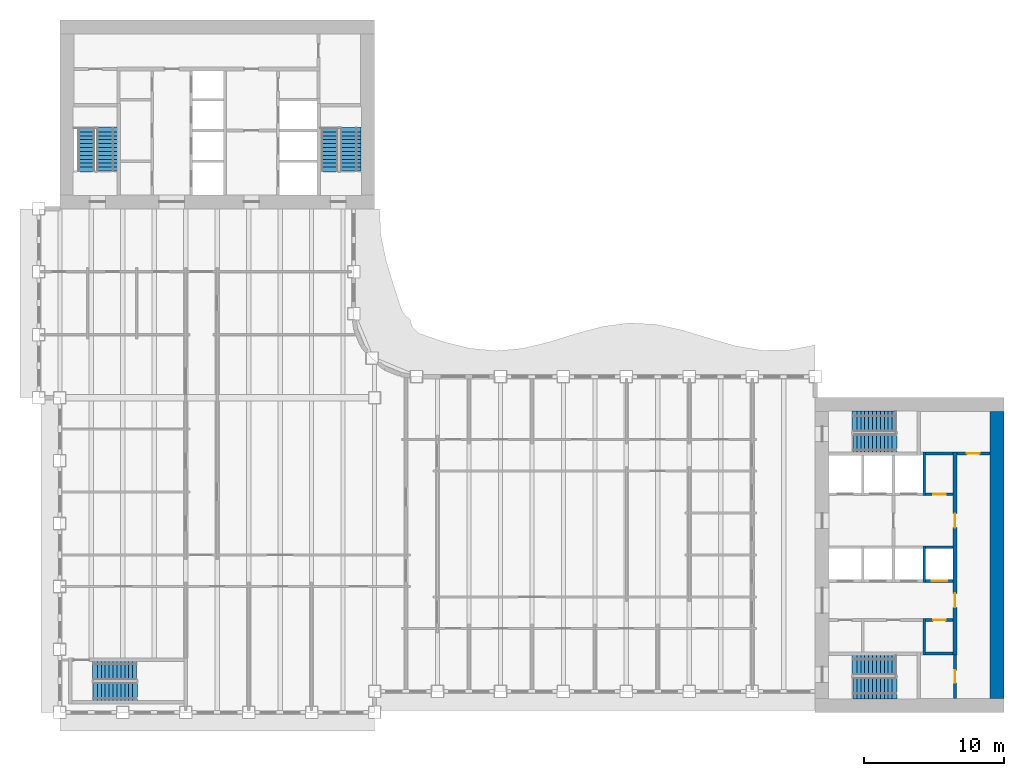
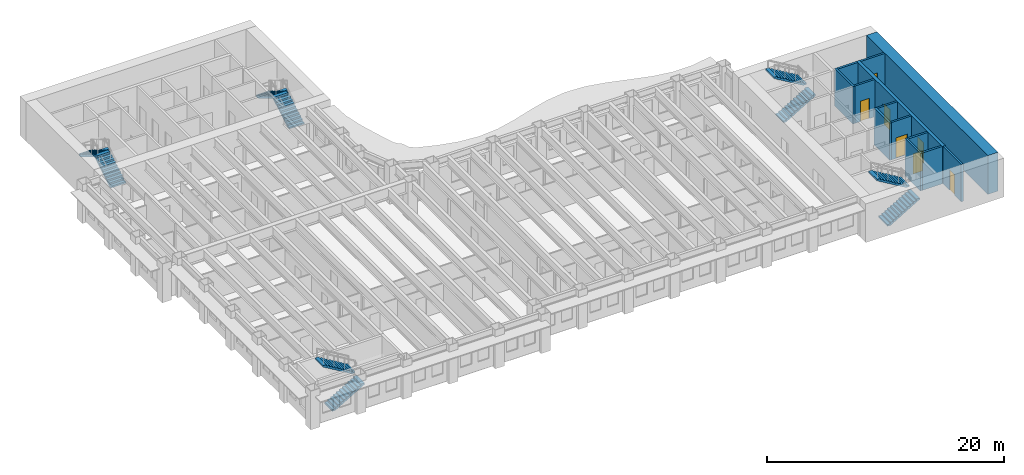
# One storey, part 10 of 16: 13 walls, 10 stair flights, 7 doors, 7 openings, 5 elements without a shape of their own.
"""IFC4 building model written with IfcOpenShell, lengths in metres."""

from ifc_helpers import new_model, si_unit, direction, frame, frame_2d, origin, place, context, subcontext, project, spatial, polyline, rectangle, outline, extrude, material, layer, layer_set, type_object, element, fill, aggregate, save


model = new_model("IFC4")

# Units and contexts
model_context = context("Model", 3, precision=1e-05, world=origin(), true_north=direction((0.0, 1.0)))
body_context = subcontext(model_context, "Body", "Model", "MODEL_VIEW")
ifc_project = project(units=[si_unit("LENGTHUNIT", "METRE"), si_unit("AREAUNIT", "SQUARE_METRE"), si_unit("VOLUMEUNIT", "CUBIC_METRE"), si_unit("PLANEANGLEUNIT", "RADIAN"), si_unit("MASSUNIT", "GRAM", prefix="KILO")], contexts=[model_context])

# Site, building, storey
site_placement = place(None, origin())
site = spatial("IfcSite", under=ifc_project, at=site_placement, CompositionType="ELEMENT")
building_placement = place(site_placement, origin())
building = spatial("IfcBuilding", under=site, at=building_placement, Name="Sennacour Bend Tower", CompositionType="ELEMENT")
storey_placement = place(building_placement, frame((0.0, 0.0, 167.0)))
storey = spatial("IfcBuildingStorey", under=building, at=storey_placement, Name="L38", CompositionType="ELEMENT", Elevation=167.0)

# Walls
ifc_material_1 = material(Name="Concrete C60/75", Category="concrete")
ifc_layer_1 = layer(ifc_material_1, 1.0, Name="Concrete C60/75", Category="concrete")
ifc_layer_set_1 = layer_set([ifc_layer_1], Name="Concrete C60/75")
wall_type_1 = type_object("IfcWallType", Name="Core wall 1000 C60/75", PredefinedType="SHEAR", material=ifc_layer_set_1)
wall_1_placement = place(storey_placement, frame((67.0, 1.0, -0.14990234375), z_axis=(0.0, 0.0, 1.0), x_axis=(0.0, 1.0, 0.0)))
element("IfcWall", 1, at=wall_1_placement, inside=storey, type_object=wall_type_1, Name="Core A wall L38 E", PredefinedType="SHEAR", context=body_context, shape_type="SweptSolid", body=[
    extrude(rectangle(XDim=20.5, YDim=1.0, at=frame_2d((10.25, 0.0))), origin(), (0.0, 0.0, 1.0), 4.0),
])
ifc_material_2 = material(Name="Fire-rated plasterboard partition on steel studs", Category="steel")
ifc_layer_2 = layer(ifc_material_2, 0.199951171875, Name="Fire-rated plasterboard partition on steel studs", Category="steel")
ifc_layer_set_2 = layer_set([ifc_layer_2], Name="Fire-rated plasterboard partition on steel studs")
wall_type_2 = type_object("IfcWallType", Name="Rated partition 200", PredefinedType="PARTITIONING", material=ifc_layer_set_2)
wall_2_placement = place(storey_placement, frame((61.800048828125, 4.10009765625, 0.0), z_axis=(0.0, 0.0, 1.0), x_axis=(0.0, 1.0, 0.0)))
element("IfcWall", 2, at=wall_2_placement, inside=storey, type_object=wall_type_2, Name="P-L38-W046", PredefinedType="PARTITIONING", context=body_context, shape_type="SweptSolid", body=[
    extrude(rectangle(XDim=2.599853515625, YDim=0.199951171875, at=frame_2d((1.2998046875, 0.0))), origin(), (0.0, 0.0, 1.0), 3.85009765625),
])

# Wall, opening, door
wall_3_placement = place(storey_placement, frame((64.0, 1.0, 0.0), z_axis=(0.0, 0.0, 1.0), x_axis=(0.0, 1.0, 0.0)))
wall_3 = element("IfcWall", 3, at=wall_3_placement, inside=storey, type_object=wall_type_2, Name="P-L38-W049", PredefinedType="PARTITIONING", context=body_context, shape_type="SweptSolid", body=[
    extrude(rectangle(XDim=3.10009765625, YDim=0.199951171875, at=frame_2d((1.550048828125, 0.0))), origin(), (0.0, 0.0, 1.0), 3.85009765625),
])
opening_1_placement = place(wall_3_placement, frame((1.10009765625, 0.0, 0.0)))
opening_1 = element("IfcOpeningElement", 4, at=opening_1_placement, cuts=wall_3, Name="Opening SV", PredefinedType="OPENING", context=body_context, shape_type="SweptSolid", body=[
    extrude(rectangle(XDim=0.89990234375, YDim=2.10009765625, at=frame_2d((0.449951171875, 1.050048828125))), frame((0.0, 0.10986328125, 0.0), z_axis=(0.0, -1.0, 0.0), x_axis=(1.0, 0.0, 0.0)), (0.0, 0.0, 1.0), 0.219970703125),
])
ifc_material_3 = material(Name="Painted steel", Category="steel")
door_type_1 = type_object("IfcDoorType", Name="DR-SERVICE-900", OperationType="NOTDEFINED", PredefinedType="DOOR", material=ifc_material_3)
door_1_placement = place(opening_1_placement, origin())
door_1 = element("IfcDoor", 5, at=door_1_placement, inside=storey, type_object=door_type_1, Name="Door", OperationType="SINGLE_SWING_LEFT", OverallHeight=2.10009765625, OverallWidth=0.89990234375, PredefinedType="DOOR", context=body_context, shape_type="SweptSolid", body=[
    extrude(rectangle(XDim=0.89990234375, YDim=2.10009765625, at=frame_2d((0.449951171875, 1.050048828125))), frame((0.0, 0.02490234375, 0.0), z_axis=(0.0, -1.0, 0.0), x_axis=(1.0, 0.0, 0.0)), (0.0, 0.0, 1.0), 0.050048828125),
])
fill(opening_1, door_1)

# Wall
wall_4_placement = place(storey_placement, frame((61.89990234375, 4.199951171875, 0.0), z_axis=(0.0, 0.0, 1.0), x_axis=(1.0, 0.0, 0.0)))
element("IfcWall", 6, at=wall_4_placement, inside=storey, type_object=wall_type_2, Name="P-L38-W057b", PredefinedType="PARTITIONING", context=body_context, shape_type="SweptSolid", body=[
    extrude(rectangle(XDim=1.9501953125, YDim=0.199951171875, at=frame_2d((0.97509765625, 0.0))), origin(), (0.0, 0.0, 1.0), 3.85009765625),
])

# Wall, opening, door
wall_5_placement = place(storey_placement, frame((61.89990234375, 6.60009765625, 0.0), z_axis=(0.0, 0.0, 1.0), x_axis=(1.0, 0.0, 0.0)))
wall_5 = element("IfcWall", 7, at=wall_5_placement, inside=storey, type_object=wall_type_2, Name="P-L38-W059c", PredefinedType="PARTITIONING", context=body_context, shape_type="SweptSolid", body=[
    extrude(rectangle(XDim=1.9501953125, YDim=0.199951171875, at=frame_2d((0.97509765625, 0.0))), origin(), (0.0, 0.0, 1.0), 3.85009765625),
])
opening_2_placement = place(wall_5_placement, frame((0.525146484375, 0.0, 0.0)))
opening_2 = element("IfcOpeningElement", 8, at=opening_2_placement, cuts=wall_5, Name="Opening SV", PredefinedType="OPENING", context=body_context, shape_type="SweptSolid", body=[
    extrude(rectangle(XDim=0.89990234375, YDim=2.10009765625, at=frame_2d((0.449951171875, 1.050048828125))), frame((0.0, 0.10986328125, 0.0), z_axis=(0.0, -1.0, 0.0), x_axis=(1.0, 0.0, 0.0)), (0.0, 0.0, 1.0), 0.219970703125),
])
door_2_placement = place(opening_2_placement, origin())
door_2 = element("IfcDoor", 9, at=door_2_placement, inside=storey, type_object=door_type_1, Name="Door", OperationType="SINGLE_SWING_LEFT", OverallHeight=2.10009765625, OverallWidth=0.89990234375, PredefinedType="DOOR", context=body_context, shape_type="SweptSolid", body=[
    extrude(rectangle(XDim=0.89990234375, YDim=2.10009765625, at=frame_2d((0.449951171875, 1.050048828125))), frame((0.0, 0.02490234375, 0.0), z_axis=(0.0, -1.0, 0.0), x_axis=(1.0, 0.0, 0.0)), (0.0, 0.0, 1.0), 0.050048828125),
])
fill(opening_2, door_2)

wall_6_placement = place(storey_placement, frame((61.89990234375, 15.60009765625, 0.0), z_axis=(0.0, 0.0, 1.0), x_axis=(1.0, 0.0, 0.0)))
wall_6 = element("IfcWall", 10, at=wall_6_placement, inside=storey, type_object=wall_type_2, Name="P-L38-W068", PredefinedType="PARTITIONING", context=body_context, shape_type="SweptSolid", body=[
    extrude(rectangle(XDim=1.9501953125, YDim=0.199951171875, at=frame_2d((0.97509765625, 0.0))), origin(), (0.0, 0.0, 1.0), 3.85009765625),
])
opening_3_placement = place(wall_6_placement, frame((0.525146484375, 0.0, 0.0)))
opening_3 = element("IfcOpeningElement", 11, at=opening_3_placement, cuts=wall_6, Name="Opening SV", PredefinedType="OPENING", context=body_context, shape_type="SweptSolid", body=[
    extrude(rectangle(XDim=0.89990234375, YDim=2.10009765625, at=frame_2d((0.449951171875, 1.050048828125))), frame((0.0, 0.10986328125, 0.0), z_axis=(0.0, -1.0, 0.0), x_axis=(1.0, 0.0, 0.0)), (0.0, 0.0, 1.0), 0.219970703125),
])
door_3_placement = place(opening_3_placement, origin())
door_3 = element("IfcDoor", 12, at=door_3_placement, inside=storey, type_object=door_type_1, Name="Door", OperationType="SINGLE_SWING_RIGHT", OverallHeight=2.10009765625, OverallWidth=0.89990234375, PredefinedType="DOOR", context=body_context, shape_type="SweptSolid", body=[
    extrude(rectangle(XDim=0.89990234375, YDim=2.10009765625, at=frame_2d((0.449951171875, 1.050048828125))), frame((0.0, 0.02490234375, 0.0), z_axis=(0.0, -1.0, 0.0), x_axis=(1.0, 0.0, 0.0)), (0.0, 0.0, 1.0), 0.050048828125),
])
fill(opening_3, door_3)

# Wall
wall_7_placement = place(storey_placement, frame((61.89990234375, 18.5, 0.0), z_axis=(0.0, 0.0, 1.0), x_axis=(1.0, 0.0, 0.0)))
element("IfcWall", 13, at=wall_7_placement, inside=storey, type_object=wall_type_2, Name="P-L38-W073a", PredefinedType="PARTITIONING", context=body_context, shape_type="SweptSolid", body=[
    extrude(rectangle(XDim=1.9501953125, YDim=0.199951171875, at=frame_2d((0.97509765625, 0.0))), origin(), (0.0, 0.0, 1.0), 3.85009765625),
])

# Wall, opening, door
wall_8_placement = place(storey_placement, frame((64.14990234375, 18.5, 0.0), z_axis=(0.0, 0.0, 1.0), x_axis=(1.0, 0.0, 0.0)))
wall_8 = element("IfcWall", 14, at=wall_8_placement, inside=storey, type_object=wall_type_2, Name="P-L38-W073b", PredefinedType="PARTITIONING", context=body_context, shape_type="SweptSolid", body=[
    extrude(rectangle(XDim=2.35009765625, YDim=0.199951171875, at=frame_2d((1.175048828125, 0.0))), origin(), (0.0, 0.0, 1.0), 3.85009765625),
])
opening_4_placement = place(wall_8_placement, frame((0.7001953125, 0.0, 0.0)))
opening_4 = element("IfcOpeningElement", 15, at=opening_4_placement, cuts=wall_8, Name="Opening SV", PredefinedType="OPENING", context=body_context, shape_type="SweptSolid", body=[
    extrude(rectangle(XDim=0.89990234375, YDim=2.10009765625, at=frame_2d((0.449951171875, 1.050048828125))), frame((0.0, 0.10986328125, 0.0), z_axis=(0.0, -1.0, 0.0), x_axis=(1.0, 0.0, 0.0)), (0.0, 0.0, 1.0), 0.219970703125),
])
door_4_placement = place(opening_4_placement, origin())
door_4 = element("IfcDoor", 16, at=door_4_placement, inside=storey, type_object=door_type_1, Name="Door", OperationType="SINGLE_SWING_LEFT", OverallHeight=2.10009765625, OverallWidth=0.89990234375, PredefinedType="DOOR", context=body_context, shape_type="SweptSolid", body=[
    extrude(rectangle(XDim=0.89990234375, YDim=2.10009765625, at=frame_2d((0.449951171875, 1.050048828125))), frame((0.0, 0.02490234375, 0.0), z_axis=(0.0, -1.0, 0.0), x_axis=(1.0, 0.0, 0.0)), (0.0, 0.0, 1.0), 0.050048828125),
])
fill(opening_4, door_4)

# Walls
ifc_material_4 = material(Name="Concrete C50/60", Category="concrete")
ifc_layer_3 = layer(ifc_material_4, 0.199951171875, Name="Concrete C50/60", Category="concrete")
ifc_layer_set_3 = layer_set([ifc_layer_3], Name="Concrete C50/60")
wall_type_3 = type_object("IfcWallType", Name="Shaft wall 200", PredefinedType="SOLIDWALL", material=ifc_layer_set_3)
wall_9_placement = place(storey_placement, frame((61.800048828125, 9.300048828125, 0.0), z_axis=(0.0, 0.0, 1.0), x_axis=(0.0, 1.0, 0.0)))
element("IfcWall", 17, at=wall_9_placement, inside=storey, type_object=wall_type_3, Name="P-L38-W047", PredefinedType="SOLIDWALL", context=body_context, shape_type="SweptSolid", body=[
    extrude(rectangle(XDim=2.599853515625, YDim=0.199951171875, at=frame_2d((1.2998046875, 0.0))), origin(), (0.0, 0.0, 1.0), 3.85009765625),
])
wall_10_placement = place(storey_placement, frame((61.800048828125, 15.5, 0.0), z_axis=(0.0, 0.0, 1.0), x_axis=(0.0, 1.0, 0.0)))
element("IfcWall", 18, at=wall_10_placement, inside=storey, type_object=wall_type_3, Name="P-L38-W048", PredefinedType="SOLIDWALL", context=body_context, shape_type="SweptSolid", body=[
    extrude(rectangle(XDim=3.10009765625, YDim=0.199951171875, at=frame_2d((1.550048828125, 0.0))), origin(), (0.0, 0.0, 1.0), 3.85009765625),
])

# Wall, opening, door
wall_11_placement = place(storey_placement, frame((61.89990234375, 9.39990234375, 0.0), z_axis=(0.0, 0.0, 1.0), x_axis=(1.0, 0.0, 0.0)))
wall_11 = element("IfcWall", 19, at=wall_11_placement, inside=storey, type_object=wall_type_3, Name="P-L38-W062d", PredefinedType="SOLIDWALL", context=body_context, shape_type="SweptSolid", body=[
    extrude(rectangle(XDim=1.9501953125, YDim=0.199951171875, at=frame_2d((0.97509765625, 0.0))), origin(), (0.0, 0.0, 1.0), 3.85009765625),
])
opening_5_placement = place(wall_11_placement, frame((0.425048828125, 0.0, 0.011962890625)))
opening_5 = element("IfcOpeningElement", 20, at=opening_5_placement, cuts=wall_11, Name="Opening LD", PredefinedType="OPENING", context=body_context, shape_type="SweptSolid", body=[
    extrude(rectangle(XDim=1.10009765625, YDim=2.10009765625, at=frame_2d((0.550048828125, 1.050048828125))), frame((0.0, 0.10986328125, 0.0), z_axis=(0.0, -1.0, 0.0), x_axis=(1.0, 0.0, 0.0)), (0.0, 0.0, 1.0), 0.219970703125),
])
ifc_material_5 = material(Name="Stainless steel", Category="steel")
door_type_2 = type_object("IfcDoorType", Name="DR-LANDING-1100", OperationType="NOTDEFINED", PredefinedType="DOOR", material=ifc_material_5)
door_5_placement = place(opening_5_placement, origin())
door_5 = element("IfcDoor", 21, at=door_5_placement, inside=storey, type_object=door_type_2, Name="Lift landing door HA4", OperationType="SLIDING_TO_RIGHT", OverallHeight=2.10009765625, OverallWidth=1.10009765625, PredefinedType="DOOR", context=body_context, shape_type="SweptSolid", body=[
    extrude(rectangle(XDim=1.10009765625, YDim=2.10009765625, at=frame_2d((0.550048828125, 1.050048828125))), frame((0.0, 0.02490234375, 0.0), z_axis=(0.0, -1.0, 0.0), x_axis=(1.0, 0.0, 0.0)), (0.0, 0.0, 1.0), 0.050048828125),
])
fill(opening_5, door_5)

# Wall
wall_12_placement = place(storey_placement, frame((61.89990234375, 11.800048828125, 0.0), z_axis=(0.0, 0.0, 1.0), x_axis=(1.0, 0.0, 0.0)))
element("IfcWall", 22, at=wall_12_placement, inside=storey, type_object=wall_type_3, Name="P-L38-W065d", PredefinedType="SOLIDWALL", context=body_context, shape_type="SweptSolid", body=[
    extrude(rectangle(XDim=1.9501953125, YDim=0.199951171875, at=frame_2d((0.97509765625, 0.0))), origin(), (0.0, 0.0, 1.0), 3.85009765625),
])

# Wall, openings, doors
ifc_layer_4 = layer(ifc_material_1, 0.300048828125, Name="Concrete C60/75", Category="concrete")
ifc_layer_set_4 = layer_set([ifc_layer_4], Name="Concrete C60/75")
wall_type_4 = type_object("IfcWallType", Name="Spine wall 300", PredefinedType="SHEAR", material=ifc_layer_set_4)
wall_13_placement = place(storey_placement, frame((64.0, 4.10009765625, 0.0), z_axis=(0.0, 0.0, 1.0), x_axis=(0.0, 1.0, 0.0)))
wall_13 = element("IfcWall", 23, at=wall_13_placement, inside=storey, type_object=wall_type_4, Name="P-L38-W050", PredefinedType="SHEAR", context=body_context, shape_type="SweptSolid", body=[
    extrude(rectangle(XDim=14.5, YDim=0.300048828125, at=frame_2d((7.25, 0.0))), origin(), (0.0, 0.0, 1.0), 3.85009765625),
])
opening_6_placement = place(wall_13_placement, frame((3.39990234375, 0.0, 0.0)))
opening_6 = element("IfcOpeningElement", 24, at=opening_6_placement, cuts=wall_13, Name="Opening CD2", PredefinedType="OPENING", context=body_context, shape_type="SweptSolid", body=[
    extrude(rectangle(XDim=1.0, YDim=2.10009765625, at=frame_2d((0.5, 1.050048828125))), frame((0.0, 0.16015625, 0.0), z_axis=(0.0, -1.0, 0.0), x_axis=(1.0, 0.0, 0.0)), (0.0, 0.0, 1.0), 0.320068359375),
])
opening_7_placement = place(wall_13_placement, frame((9.099853515625, 0.0, 0.0)))
opening_7 = element("IfcOpeningElement", 25, at=opening_7_placement, cuts=wall_13, Name="Opening CD2", PredefinedType="OPENING", context=body_context, shape_type="SweptSolid", body=[
    extrude(rectangle(XDim=1.0, YDim=2.10009765625, at=frame_2d((0.5, 1.050048828125))), frame((0.0, 0.16015625, 0.0), z_axis=(0.0, -1.0, 0.0), x_axis=(1.0, 0.0, 0.0)), (0.0, 0.0, 1.0), 0.320068359375),
])
door_type_3 = type_object("IfcDoorType", Name="DR-LOBBY-1000", OperationType="NOTDEFINED", PredefinedType="DOOR", material=ifc_material_3)
door_6_placement = place(opening_6_placement, origin())
door_6 = element("IfcDoor", 26, at=door_6_placement, inside=storey, type_object=door_type_3, Name="Door", OperationType="SINGLE_SWING_LEFT", OverallHeight=2.10009765625, OverallWidth=1.0, PredefinedType="DOOR", context=body_context, shape_type="SweptSolid", body=[
    extrude(rectangle(XDim=1.0, YDim=2.10009765625, at=frame_2d((0.5, 1.050048828125))), frame((0.0, 0.02490234375, 0.0), z_axis=(0.0, -1.0, 0.0), x_axis=(1.0, 0.0, 0.0)), (0.0, 0.0, 1.0), 0.050048828125),
])
fill(opening_6, door_6)
door_7_placement = place(opening_7_placement, origin())
door_7 = element("IfcDoor", 27, at=door_7_placement, inside=storey, type_object=door_type_3, Name="Door", OperationType="SINGLE_SWING_RIGHT", OverallHeight=2.10009765625, OverallWidth=1.0, PredefinedType="DOOR", context=body_context, shape_type="SweptSolid", body=[
    extrude(rectangle(XDim=1.0, YDim=2.10009765625, at=frame_2d((0.5, 1.050048828125))), frame((0.0, 0.02490234375, 0.0), z_axis=(0.0, -1.0, 0.0), x_axis=(1.0, 0.0, 0.0)), (0.0, 0.0, 1.0), 0.050048828125),
])
fill(opening_7, door_7)

# Stair, stair flights
ifc_material_6 = material(Name="Concrete C40/50", Category="concrete")
stair_type = type_object("IfcStairType", Name="ST-DOGLEG", PredefinedType="HALF_TURN_STAIR", material=ifc_material_6)
stair_1_placement = place(storey_placement, origin())
stair_1 = element("IfcStair", 28, at=stair_1_placement, inside=storey, type_object=stair_type, Name="L38 Exit stair A1", PredefinedType="HALF_TURN_STAIR")
stair_flight_type = type_object("IfcStairFlightType", Name="SFL-RC", PredefinedType="STRAIGHT", material=ifc_material_6)
stair_flight_1_placement = place(storey_placement, frame((56.699951171875, 1.735107421875, 0.0), z_axis=(0.0, 0.0, 1.0), x_axis=(1.0, 0.0, 0.0)))
stair_flight_1 = element("IfcStairFlight", 29, at=stair_flight_1_placement, type_object=stair_flight_type, Name="SA1 flight 1", NumberOfRisers=12, NumberOfTreads=11, PredefinedType="STRAIGHT", RiserHeight=0.166666667, TreadLength=0.28, context=body_context, shape_type="SweptSolid", body=[
    extrude(outline(polyline([(0.0, 0.0), (0.0, 0.166748046875), (0.280029296875, 0.166748046875), (0.280029296875, 0.333251953125), (0.56005859375, 0.333251953125), (0.56005859375, 0.5), (0.840087890625, 0.5), (0.840087890625, 0.666748046875), (1.1201171875, 0.666748046875), (1.1201171875, 0.833251953125), (1.39990234375, 0.833251953125), (1.39990234375, 1.0), (1.679931640625, 1.0), (1.679931640625, 1.166748046875), (1.9599609375, 1.166748046875), (1.9599609375, 1.333251953125), (2.239990234375, 1.333251953125), (2.239990234375, 1.5), (2.52001953125, 1.5), (2.52001953125, 1.666748046875), (2.800048828125, 1.666748046875), (2.800048828125, 1.833251953125), (3.080078125, 1.833251953125), (3.139892578125, 1.833251953125), (3.139892578125, 1.658935546875), (3.080078125, 1.658935546875), (0.29296875, 0.0), (0.0, 0.0)])), frame((0.0, 0.76513671875, 0.0), z_axis=(0.0, -1.0, 0.0), x_axis=(1.0, 0.0, 0.0)), (0.0, 0.0, 1.0), 1.530029296875),
])
stair_flight_2_placement = place(storey_placement, frame((59.780029296875, 3.37744140625, 2.0), z_axis=(0.0, 0.0, 1.0), x_axis=(-1.0, 0.0, 0.0)))
stair_flight_2 = element("IfcStairFlight", 30, at=stair_flight_2_placement, type_object=stair_flight_type, Name="SA1 flight 2", NumberOfRisers=12, NumberOfTreads=11, PredefinedType="STRAIGHT", RiserHeight=0.166666667, TreadLength=0.28, context=body_context, shape_type="SweptSolid", body=[
    extrude(outline(polyline([(0.0, 0.0), (0.0, 0.166748046875), (0.280029296875, 0.166748046875), (0.280029296875, 0.333251953125), (0.56005859375, 0.333251953125), (0.56005859375, 0.5), (0.840087890625, 0.5), (0.840087890625, 0.666748046875), (1.1201171875, 0.666748046875), (1.1201171875, 0.833251953125), (1.39990234375, 0.833251953125), (1.39990234375, 1.0), (1.679931640625, 1.0), (1.679931640625, 1.166748046875), (1.9599609375, 1.166748046875), (1.9599609375, 1.333251953125), (2.239990234375, 1.333251953125), (2.239990234375, 1.5), (2.52001953125, 1.5), (2.52001953125, 1.666748046875), (2.800048828125, 1.666748046875), (2.800048828125, 1.833251953125), (3.080078125, 1.833251953125), (3.139892578125, 1.833251953125), (3.139892578125, 1.658935546875), (3.080078125, 1.658935546875), (0.29296875, 0.0), (0.0, 0.0)])), frame((0.0, 0.7275390625, 0.0), z_axis=(0.0, -1.0, 0.0), x_axis=(1.0, 0.0, 0.0)), (0.0, 0.0, 1.0), 1.455078125),
])
aggregate(stair_1, [stair_flight_1, stair_flight_2])

stair_2_placement = place(storey_placement, origin())
stair_2 = element("IfcStair", 31, at=stair_2_placement, inside=storey, type_object=stair_type, Name="L38 Exit stair A2", PredefinedType="HALF_TURN_STAIR")
stair_flight_3_placement = place(storey_placement, frame((56.699951171875, 19.24755859375, 0.0), z_axis=(0.0, 0.0, 1.0), x_axis=(1.0, 0.0, 0.0)))
stair_flight_3 = element("IfcStairFlight", 32, at=stair_flight_3_placement, type_object=stair_flight_type, Name="SA2 flight 1", NumberOfRisers=12, NumberOfTreads=11, PredefinedType="STRAIGHT", RiserHeight=0.166666667, TreadLength=0.28, context=body_context, shape_type="SweptSolid", body=[
    extrude(outline(polyline([(0.0, 0.0), (0.0, 0.166748046875), (0.280029296875, 0.166748046875), (0.280029296875, 0.333251953125), (0.56005859375, 0.333251953125), (0.56005859375, 0.5), (0.840087890625, 0.5), (0.840087890625, 0.666748046875), (1.1201171875, 0.666748046875), (1.1201171875, 0.833251953125), (1.39990234375, 0.833251953125), (1.39990234375, 1.0), (1.679931640625, 1.0), (1.679931640625, 1.166748046875), (1.9599609375, 1.166748046875), (1.9599609375, 1.333251953125), (2.239990234375, 1.333251953125), (2.239990234375, 1.5), (2.52001953125, 1.5), (2.52001953125, 1.666748046875), (2.800048828125, 1.666748046875), (2.800048828125, 1.833251953125), (3.080078125, 1.833251953125), (3.139892578125, 1.833251953125), (3.139892578125, 1.658935546875), (3.080078125, 1.658935546875), (0.29296875, 0.0), (0.0, 0.0)])), frame((0.0, 0.65234375, 0.0), z_axis=(0.0, -1.0, 0.0), x_axis=(1.0, 0.0, 0.0)), (0.0, 0.0, 1.0), 1.304931640625),
])
stair_flight_4_placement = place(storey_placement, frame((59.780029296875, 20.7900390625, 2.0), z_axis=(0.0, 0.0, 1.0), x_axis=(-1.0, 0.0, 0.0)))
stair_flight_4 = element("IfcStairFlight", 33, at=stair_flight_4_placement, type_object=stair_flight_type, Name="SA2 flight 2", NumberOfRisers=12, NumberOfTreads=11, PredefinedType="STRAIGHT", RiserHeight=0.166666667, TreadLength=0.28, context=body_context, shape_type="SweptSolid", body=[
    extrude(outline(polyline([(0.0, 0.0), (0.0, 0.166748046875), (0.280029296875, 0.166748046875), (0.280029296875, 0.333251953125), (0.56005859375, 0.333251953125), (0.56005859375, 0.5), (0.840087890625, 0.5), (0.840087890625, 0.666748046875), (1.1201171875, 0.666748046875), (1.1201171875, 0.833251953125), (1.39990234375, 0.833251953125), (1.39990234375, 1.0), (1.679931640625, 1.0), (1.679931640625, 1.166748046875), (1.9599609375, 1.166748046875), (1.9599609375, 1.333251953125), (2.239990234375, 1.333251953125), (2.239990234375, 1.5), (2.52001953125, 1.5), (2.52001953125, 1.666748046875), (2.800048828125, 1.666748046875), (2.800048828125, 1.833251953125), (3.080078125, 1.833251953125), (3.139892578125, 1.833251953125), (3.139892578125, 1.658935546875), (3.080078125, 1.658935546875), (0.29296875, 0.0), (0.0, 0.0)])), frame((0.0, 0.739990234375, 0.0), z_axis=(0.0, -1.0, 0.0), x_axis=(1.0, 0.0, 0.0)), (0.0, 0.0, 1.0), 1.47998046875),
])
aggregate(stair_2, [stair_flight_3, stair_flight_4])

stair_3_placement = place(storey_placement, origin())
stair_3 = element("IfcStair", 34, at=stair_3_placement, inside=storey, type_object=stair_type, Name="L38 Exit stair B1", PredefinedType="HALF_TURN_STAIR")
stair_flight_5_placement = place(storey_placement, frame((3.37744140625, 38.699951171875, 0.0), z_axis=(0.0, 0.0, 1.0), x_axis=(0.0, 1.0, 0.0)))
stair_flight_5 = element("IfcStairFlight", 35, at=stair_flight_5_placement, type_object=stair_flight_type, Name="SB1 flight 1", NumberOfRisers=12, NumberOfTreads=11, PredefinedType="STRAIGHT", RiserHeight=0.166666667, TreadLength=0.28, context=body_context, shape_type="SweptSolid", body=[
    extrude(outline(polyline([(0.0, 0.0), (0.0, 0.166748046875), (0.280029296875, 0.166748046875), (0.280029296875, 0.333251953125), (0.56005859375, 0.333251953125), (0.56005859375, 0.5), (0.840087890625, 0.5), (0.840087890625, 0.666748046875), (1.1201171875, 0.666748046875), (1.1201171875, 0.833251953125), (1.39990234375, 0.833251953125), (1.39990234375, 1.0), (1.679931640625, 1.0), (1.679931640625, 1.166748046875), (1.9599609375, 1.166748046875), (1.9599609375, 1.333251953125), (2.239990234375, 1.333251953125), (2.239990234375, 1.5), (2.52001953125, 1.5), (2.52001953125, 1.666748046875), (2.800048828125, 1.666748046875), (2.800048828125, 1.833251953125), (3.080078125, 1.833251953125), (3.139892578125, 1.833251953125), (3.139892578125, 1.658935546875), (3.080078125, 1.658935546875), (0.29296875, 0.0), (0.0, 0.0)])), frame((0.0, 0.7275390625, 0.0), z_axis=(0.0, -1.0, 0.0), x_axis=(1.0, 0.0, 0.0)), (0.0, 0.0, 1.0), 1.455078125),
])
stair_flight_6_placement = place(storey_placement, frame((1.89990234375, 41.780029296875, 2.0), z_axis=(0.0, 0.0, 1.0), x_axis=(0.0, -1.0, 0.0)))
stair_flight_6 = element("IfcStairFlight", 36, at=stair_flight_6_placement, type_object=stair_flight_type, Name="SB1 flight 2", NumberOfRisers=12, NumberOfTreads=11, PredefinedType="STRAIGHT", RiserHeight=0.166666667, TreadLength=0.28, context=body_context, shape_type="SweptSolid", body=[
    extrude(outline(polyline([(0.0, 0.0), (0.0, 0.166748046875), (0.280029296875, 0.166748046875), (0.280029296875, 0.333251953125), (0.56005859375, 0.333251953125), (0.56005859375, 0.5), (0.840087890625, 0.5), (0.840087890625, 0.666748046875), (1.1201171875, 0.666748046875), (1.1201171875, 0.833251953125), (1.39990234375, 0.833251953125), (1.39990234375, 1.0), (1.679931640625, 1.0), (1.679931640625, 1.166748046875), (1.9599609375, 1.166748046875), (1.9599609375, 1.333251953125), (2.239990234375, 1.333251953125), (2.239990234375, 1.5), (2.52001953125, 1.5), (2.52001953125, 1.666748046875), (2.800048828125, 1.666748046875), (2.800048828125, 1.833251953125), (3.080078125, 1.833251953125), (3.139892578125, 1.833251953125), (3.139892578125, 1.658935546875), (3.080078125, 1.658935546875), (0.29296875, 0.0), (0.0, 0.0)])), frame((0.0, 0.60009765625, 0.0), z_axis=(0.0, -1.0, 0.0), x_axis=(1.0, 0.0, 0.0)), (0.0, 0.0, 1.0), 1.199951171875),
])
aggregate(stair_3, [stair_flight_5, stair_flight_6])

stair_4_placement = place(storey_placement, origin())
stair_4 = element("IfcStair", 37, at=stair_4_placement, inside=storey, type_object=stair_type, Name="L38 Exit stair B2", PredefinedType="HALF_TURN_STAIR")
stair_flight_7_placement = place(storey_placement, frame((20.7900390625, 38.699951171875, 0.0), z_axis=(0.0, 0.0, 1.0), x_axis=(0.0, 1.0, 0.0)))
stair_flight_7 = element("IfcStairFlight", 38, at=stair_flight_7_placement, type_object=stair_flight_type, Name="SB2 flight 1", NumberOfRisers=12, NumberOfTreads=11, PredefinedType="STRAIGHT", RiserHeight=0.166666667, TreadLength=0.28, context=body_context, shape_type="SweptSolid", body=[
    extrude(outline(polyline([(0.0, 0.0), (0.0, 0.166748046875), (0.280029296875, 0.166748046875), (0.280029296875, 0.333251953125), (0.56005859375, 0.333251953125), (0.56005859375, 0.5), (0.840087890625, 0.5), (0.840087890625, 0.666748046875), (1.1201171875, 0.666748046875), (1.1201171875, 0.833251953125), (1.39990234375, 0.833251953125), (1.39990234375, 1.0), (1.679931640625, 1.0), (1.679931640625, 1.166748046875), (1.9599609375, 1.166748046875), (1.9599609375, 1.333251953125), (2.239990234375, 1.333251953125), (2.239990234375, 1.5), (2.52001953125, 1.5), (2.52001953125, 1.666748046875), (2.800048828125, 1.666748046875), (2.800048828125, 1.833251953125), (3.080078125, 1.833251953125), (3.139892578125, 1.833251953125), (3.139892578125, 1.658935546875), (3.080078125, 1.658935546875), (0.29296875, 0.0), (0.0, 0.0)])), frame((0.0, 0.739990234375, 0.0), z_axis=(0.0, -1.0, 0.0), x_axis=(1.0, 0.0, 0.0)), (0.0, 0.0, 1.0), 1.47998046875),
])
stair_flight_8_placement = place(storey_placement, frame((19.24755859375, 41.780029296875, 2.0), z_axis=(0.0, 0.0, 1.0), x_axis=(0.0, -1.0, 0.0)))
stair_flight_8 = element("IfcStairFlight", 39, at=stair_flight_8_placement, type_object=stair_flight_type, Name="SB2 flight 2", NumberOfRisers=12, NumberOfTreads=11, PredefinedType="STRAIGHT", RiserHeight=0.166666667, TreadLength=0.28, context=body_context, shape_type="SweptSolid", body=[
    extrude(outline(polyline([(0.0, 0.0), (0.0, 0.166748046875), (0.280029296875, 0.166748046875), (0.280029296875, 0.333251953125), (0.56005859375, 0.333251953125), (0.56005859375, 0.5), (0.840087890625, 0.5), (0.840087890625, 0.666748046875), (1.1201171875, 0.666748046875), (1.1201171875, 0.833251953125), (1.39990234375, 0.833251953125), (1.39990234375, 1.0), (1.679931640625, 1.0), (1.679931640625, 1.166748046875), (1.9599609375, 1.166748046875), (1.9599609375, 1.333251953125), (2.239990234375, 1.333251953125), (2.239990234375, 1.5), (2.52001953125, 1.5), (2.52001953125, 1.666748046875), (2.800048828125, 1.666748046875), (2.800048828125, 1.833251953125), (3.080078125, 1.833251953125), (3.139892578125, 1.833251953125), (3.139892578125, 1.658935546875), (3.080078125, 1.658935546875), (0.29296875, 0.0), (0.0, 0.0)])), frame((0.0, 0.65234375, 0.0), z_axis=(0.0, -1.0, 0.0), x_axis=(1.0, 0.0, 0.0)), (0.0, 0.0, 1.0), 1.304931640625),
])
aggregate(stair_4, [stair_flight_7, stair_flight_8])

stair_5_placement = place(storey_placement, origin())
stair_5 = element("IfcStair", 40, at=stair_5_placement, inside=storey, type_object=stair_type, Name="L38 Exit stair K1", PredefinedType="HALF_TURN_STAIR")
stair_flight_9_placement = place(storey_placement, frame((2.39990234375, 1.485107421875, 0.0), z_axis=(0.0, 0.0, 1.0), x_axis=(1.0, 0.0, 0.0)))
stair_flight_9 = element("IfcStairFlight", 41, at=stair_flight_9_placement, type_object=stair_flight_type, Name="SK1 flight 1", NumberOfRisers=12, NumberOfTreads=11, PredefinedType="STRAIGHT", RiserHeight=0.166666667, TreadLength=0.28, context=body_context, shape_type="SweptSolid", body=[
    extrude(outline(polyline([(0.0, 0.0), (0.0, 0.166748046875), (0.280029296875, 0.166748046875), (0.280029296875, 0.333251953125), (0.56005859375, 0.333251953125), (0.56005859375, 0.5), (0.840087890625, 0.5), (0.840087890625, 0.666748046875), (1.1201171875, 0.666748046875), (1.1201171875, 0.833251953125), (1.39990234375, 0.833251953125), (1.39990234375, 1.0), (1.679931640625, 1.0), (1.679931640625, 1.166748046875), (1.9599609375, 1.166748046875), (1.9599609375, 1.333251953125), (2.239990234375, 1.333251953125), (2.239990234375, 1.5), (2.52001953125, 1.5), (2.52001953125, 1.666748046875), (2.800048828125, 1.666748046875), (2.800048828125, 1.833251953125), (3.080078125, 1.833251953125), (3.139892578125, 1.833251953125), (3.139892578125, 1.658935546875), (3.080078125, 1.658935546875), (0.29296875, 0.0), (0.0, 0.0)])), frame((0.0, 0.6650390625, 0.0), z_axis=(0.0, -1.0, 0.0), x_axis=(1.0, 0.0, 0.0)), (0.0, 0.0, 1.0), 1.330078125),
])
stair_flight_10_placement = place(storey_placement, frame((5.47998046875, 2.9775390625, 2.0), z_axis=(0.0, 0.0, 1.0), x_axis=(-1.0, 0.0, 0.0)))
stair_flight_10 = element("IfcStairFlight", 42, at=stair_flight_10_placement, type_object=stair_flight_type, Name="SK1 flight 2", NumberOfRisers=12, NumberOfTreads=11, PredefinedType="STRAIGHT", RiserHeight=0.166666667, TreadLength=0.28, context=body_context, shape_type="SweptSolid", body=[
    extrude(outline(polyline([(0.0, 0.0), (0.0, 0.166748046875), (0.280029296875, 0.166748046875), (0.280029296875, 0.333251953125), (0.56005859375, 0.333251953125), (0.56005859375, 0.5), (0.840087890625, 0.5), (0.840087890625, 0.666748046875), (1.1201171875, 0.666748046875), (1.1201171875, 0.833251953125), (1.39990234375, 0.833251953125), (1.39990234375, 1.0), (1.679931640625, 1.0), (1.679931640625, 1.166748046875), (1.9599609375, 1.166748046875), (1.9599609375, 1.333251953125), (2.239990234375, 1.333251953125), (2.239990234375, 1.5), (2.52001953125, 1.5), (2.52001953125, 1.666748046875), (2.800048828125, 1.666748046875), (2.800048828125, 1.833251953125), (3.080078125, 1.833251953125), (3.139892578125, 1.833251953125), (3.139892578125, 1.658935546875), (3.080078125, 1.658935546875), (0.29296875, 0.0), (0.0, 0.0)])), frame((0.0, 0.677490234375, 0.0), z_axis=(0.0, -1.0, 0.0), x_axis=(1.0, 0.0, 0.0)), (0.0, 0.0, 1.0), 1.35498046875),
])
aggregate(stair_5, [stair_flight_9, stair_flight_10])

save(model, "model.ifc")
